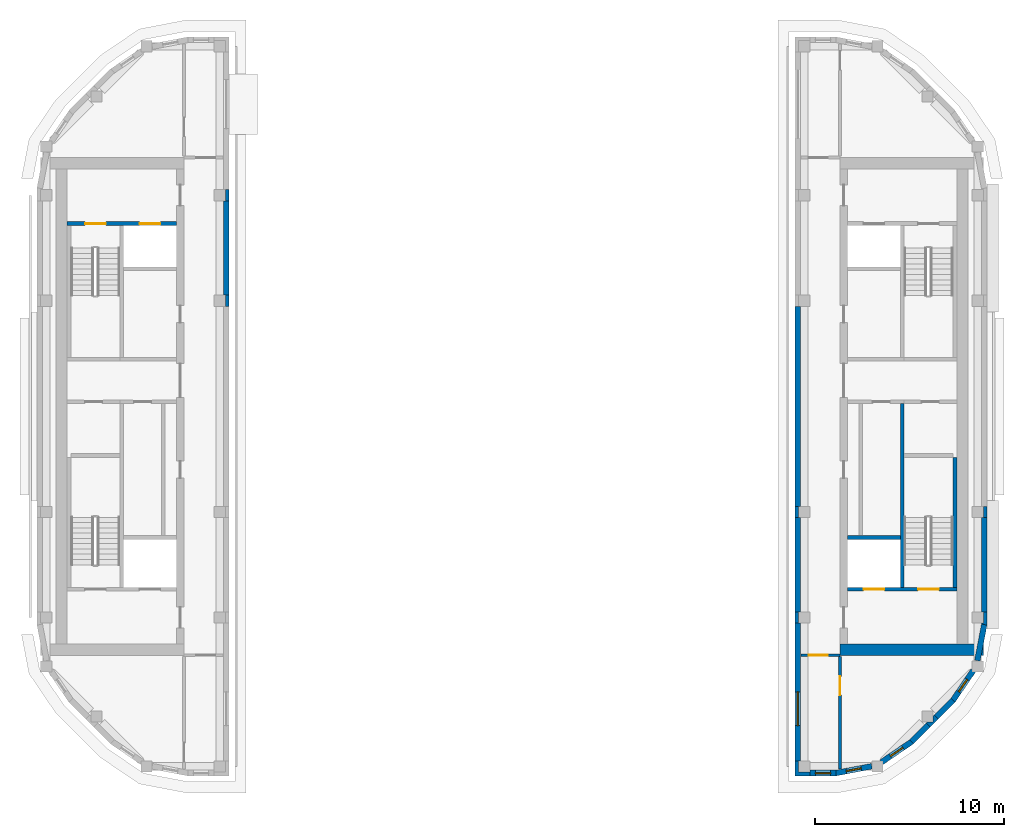
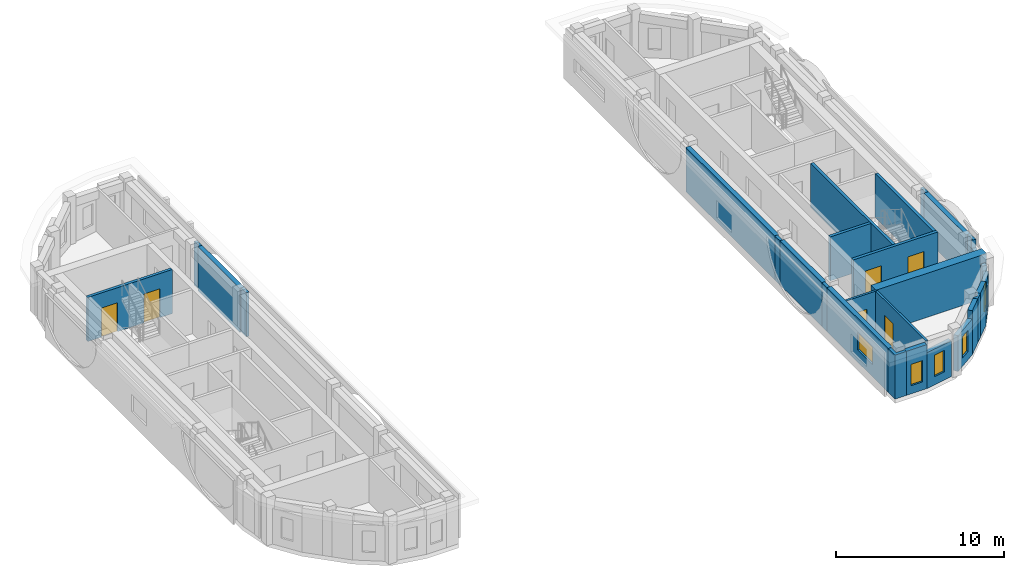
# One storey, part 3 of 12: 28 walls, 6 doors, 5 windows, 11 openings.
"""IFC4 building model written with IfcOpenShell, lengths in metres."""

from ifc_helpers import new_model, si_unit, direction, frame, frame_2d, origin, place, context, subcontext, project, spatial, polyline, rectangle, outline, extrude, material, layer, layer_set, type_object, element, fill, save


model = new_model("IFC4")

# Units and contexts
model_context = context("Model", 3, precision=1e-05, world=origin(), true_north=direction((0.0, 1.0)))
body_context = subcontext(model_context, "Body", "Model", "MODEL_VIEW")
ifc_project = project(units=[si_unit("LENGTHUNIT", "METRE"), si_unit("AREAUNIT", "SQUARE_METRE"), si_unit("VOLUMEUNIT", "CUBIC_METRE"), si_unit("PLANEANGLEUNIT", "RADIAN"), si_unit("MASSUNIT", "GRAM", prefix="KILO")], contexts=[model_context])

# Site, building, storey
site_placement = place(None, origin())
site = spatial("IfcSite", under=ifc_project, at=site_placement, CompositionType="ELEMENT")
building_placement = place(site_placement, origin())
building = spatial("IfcBuilding", under=site, at=building_placement, Name="Kiln Ring Residences", CompositionType="ELEMENT")
storey_placement = place(building_placement, frame((0.0, 0.0, 306.89990234375)))
storey = spatial("IfcBuildingStorey", under=building, at=storey_placement, Name="L79 Crown", CompositionType="ELEMENT", Elevation=306.89990234375)

# Wall
ifc_material_1 = material(Name="Gypsum shaft wall system")
ifc_layer_1 = layer(ifc_material_1, 0.199951171875)
ifc_layer_set_1 = layer_set([ifc_layer_1], Name="CORE-SHAFT-WALL-200")
wall_type_1 = type_object("IfcWallType", Name="CORE-SHAFT-WALL-200", PredefinedType="PARTITIONING", material=ifc_layer_set_1)
wall_1_placement = place(storey_placement, frame((17.800048828125, -6.949951171875, 0.0), z_axis=(0.0, 0.0, 1.0), x_axis=(1.0, 0.0, 0.0)))
element("IfcWall", 1, at=wall_1_placement, inside=storey, type_object=wall_type_1, Name="Core partition east L79 Crown 3", PredefinedType="PARTITIONING", context=body_context, shape_type="SweptSolid", body=[
    extrude(rectangle(XDim=2.800048828125, YDim=0.199951171875, at=frame_2d((1.39990234375, 0.0))), origin(), (0.0, 0.0, 1.0), 3.2001953125),
])

# Wall, openings, doors
ifc_material_2 = material(Name="Concrete C40/50", Category="concrete")
ifc_layer_2 = layer(ifc_material_2, 0.199951171875)
ifc_layer_set_2 = layer_set([ifc_layer_2], Name="CORE-WALL-RC200")
wall_type_2 = type_object("IfcWallType", Name="CORE-WALL-RC200", PredefinedType="SHEAR", material=ifc_layer_set_2)
wall_2_placement = place(storey_placement, frame((-17.800048828125, 9.699951171875, 0.0), z_axis=(0.0, 0.0, 1.0), x_axis=(-1.0, 0.0, 0.0)))
wall_2 = element("IfcWall", 2, at=wall_2_placement, inside=storey, type_object=wall_type_2, Name="Core wall west L79 Crown 9", PredefinedType="SHEAR", context=body_context, shape_type="SweptSolid", body=[
    extrude(rectangle(XDim=5.800048828125, YDim=0.199951171875, at=frame_2d((2.89990234375, 0.0))), origin(), (0.0, 0.0, 1.0), 3.2001953125),
])
opening_1_placement = place(wall_2_placement, frame((0.85009765625, 0.0, 0.0)))
opening_1 = element("IfcOpeningElement", 3, at=opening_1_placement, cuts=wall_2, Name="Opening L79-CW05", PredefinedType="OPENING", context=body_context, shape_type="SweptSolid", body=[
    extrude(rectangle(XDim=1.10009765625, YDim=2.10009765625, at=frame_2d((0.550048828125, 1.050048828125))), frame((0.0, 0.10986328125, 0.0), z_axis=(0.0, -1.0, 0.0), x_axis=(1.0, 0.0, 0.0)), (0.0, 0.0, 1.0), 0.219970703125),
])
opening_2_placement = place(wall_2_placement, frame((3.75, 0.0, 0.0)))
opening_2 = element("IfcOpeningElement", 4, at=opening_2_placement, cuts=wall_2, Name="Opening L79-CW08", PredefinedType="OPENING", context=body_context, shape_type="SweptSolid", body=[
    extrude(rectangle(XDim=1.10009765625, YDim=2.10009765625, at=frame_2d((0.550048828125, 1.050048828125))), frame((0.0, 0.10986328125, 0.0), z_axis=(0.0, -1.0, 0.0), x_axis=(1.0, 0.0, 0.0)), (0.0, 0.0, 1.0), 0.219970703125),
])
ifc_material_3 = material(Name="Steel door leaf", Category="steel")
door_type_1 = type_object("IfcDoorType", Name="CORE-DOOR-LD", OperationType="DOUBLE_DOOR_SLIDING", PredefinedType="DOOR", material=ifc_material_3)
door_1_placement = place(opening_1_placement, origin())
door_1 = element("IfcDoor", 5, at=door_1_placement, inside=storey, type_object=door_type_1, Name="LD W-FF L79-CW05", OperationType="DOUBLE_DOOR_SLIDING", OverallHeight=2.10009765625, OverallWidth=1.10009765625, PredefinedType="DOOR", context=body_context, shape_type="SweptSolid", body=[
    extrude(rectangle(XDim=1.10009765625, YDim=2.10009765625, at=frame_2d((0.550048828125, 1.050048828125))), frame((0.0, 0.02490234375, 0.0), z_axis=(0.0, -1.0, 0.0), x_axis=(1.0, 0.0, 0.0)), (0.0, 0.0, 1.0), 0.050048828125),
])
fill(opening_1, door_1)
ifc_material_4 = material(Name="Steel door leaf", Category="steel")
door_type_2 = type_object("IfcDoorType", Name="CORE-DOOR-STAIR", OperationType="SINGLE_SWING_LEFT", PredefinedType="DOOR", material=ifc_material_4)
door_2_placement = place(opening_2_placement, origin())
door_2 = element("IfcDoor", 6, at=door_2_placement, inside=storey, type_object=door_type_2, Name="Stair W-STN L79-CW08", OperationType="SINGLE_SWING_RIGHT", OverallHeight=2.10009765625, OverallWidth=1.10009765625, PredefinedType="DOOR", context=body_context, shape_type="SweptSolid", body=[
    extrude(rectangle(XDim=1.10009765625, YDim=2.10009765625, at=frame_2d((0.550048828125, 1.050048828125))), frame((0.0, 0.02490234375, 0.0), z_axis=(0.0, -1.0, 0.0), x_axis=(1.0, 0.0, 0.0)), (0.0, 0.0, 1.0), 0.050048828125),
])
fill(opening_2, door_2)

# Wall
wall_3_placement = place(storey_placement, frame((20.699951171875, -9.60009765625, 0.0), z_axis=(0.0, 0.0, 1.0), x_axis=(0.0, 1.0, 0.0)))
element("IfcWall", 7, at=wall_3_placement, inside=storey, type_object=wall_type_2, Name="Core wall east L79 Crown 2", PredefinedType="SHEAR", context=body_context, shape_type="SweptSolid", body=[
    extrude(rectangle(XDim=9.75, YDim=0.199951171875, at=frame_2d((4.875, 0.0))), origin(), (0.0, 0.0, 1.0), 3.2001953125),
])

# Wall, openings, doors
wall_4_placement = place(storey_placement, frame((17.800048828125, -9.699951171875, 0.0), z_axis=(0.0, 0.0, 1.0), x_axis=(1.0, 0.0, 0.0)))
wall_4 = element("IfcWall", 8, at=wall_4_placement, inside=storey, type_object=wall_type_2, Name="Core wall east L79 Crown 8", PredefinedType="SHEAR", context=body_context, shape_type="SweptSolid", body=[
    extrude(rectangle(XDim=5.800048828125, YDim=0.199951171875, at=frame_2d((2.89990234375, 0.0))), origin(), (0.0, 0.0, 1.0), 3.2001953125),
])
opening_3_placement = place(wall_4_placement, frame((0.85009765625, 0.0, 0.0)))
opening_3 = element("IfcOpeningElement", 9, at=opening_3_placement, cuts=wall_4, Name="Opening L79-CE01", PredefinedType="OPENING", context=body_context, shape_type="SweptSolid", body=[
    extrude(rectangle(XDim=1.10009765625, YDim=2.10009765625, at=frame_2d((0.550048828125, 1.050048828125))), frame((0.0, 0.10986328125, 0.0), z_axis=(0.0, -1.0, 0.0), x_axis=(1.0, 0.0, 0.0)), (0.0, 0.0, 1.0), 0.219970703125),
])
opening_4_placement = place(wall_4_placement, frame((3.75, 0.0, 0.0)))
opening_4 = element("IfcOpeningElement", 10, at=opening_4_placement, cuts=wall_4, Name="Opening L79-CE09", PredefinedType="OPENING", context=body_context, shape_type="SweptSolid", body=[
    extrude(rectangle(XDim=1.10009765625, YDim=2.10009765625, at=frame_2d((0.550048828125, 1.050048828125))), frame((0.0, 0.10986328125, 0.0), z_axis=(0.0, -1.0, 0.0), x_axis=(1.0, 0.0, 0.0)), (0.0, 0.0, 1.0), 0.219970703125),
])
door_3_placement = place(opening_3_placement, origin())
door_3 = element("IfcDoor", 11, at=door_3_placement, inside=storey, type_object=door_type_1, Name="LD E-SV L79-CE01", OperationType="DOUBLE_DOOR_SLIDING", OverallHeight=2.10009765625, OverallWidth=1.10009765625, PredefinedType="DOOR", context=body_context, shape_type="SweptSolid", body=[
    extrude(rectangle(XDim=1.10009765625, YDim=2.10009765625, at=frame_2d((0.550048828125, 1.050048828125))), frame((0.0, 0.02490234375, 0.0), z_axis=(0.0, -1.0, 0.0), x_axis=(1.0, 0.0, 0.0)), (0.0, 0.0, 1.0), 0.050048828125),
])
fill(opening_3, door_3)
door_4_placement = place(opening_4_placement, origin())
door_4 = element("IfcDoor", 12, at=door_4_placement, inside=storey, type_object=door_type_2, Name="Stair E-STS L79-CE09", OperationType="SINGLE_SWING_LEFT", OverallHeight=2.10009765625, OverallWidth=1.10009765625, PredefinedType="DOOR", context=body_context, shape_type="SweptSolid", body=[
    extrude(rectangle(XDim=1.10009765625, YDim=2.10009765625, at=frame_2d((0.550048828125, 1.050048828125))), frame((0.0, 0.02490234375, 0.0), z_axis=(0.0, -1.0, 0.0), x_axis=(1.0, 0.0, 0.0)), (0.0, 0.0, 1.0), 0.050048828125),
])
fill(opening_4, door_4)

# Walls
wall_5_placement = place(storey_placement, frame((23.5, -9.60009765625, 0.0), z_axis=(0.0, 0.0, 1.0), x_axis=(0.0, 1.0, 0.0)))
element("IfcWall", 13, at=wall_5_placement, inside=storey, type_object=wall_type_2, Name="Core wall east L79 Crown 11", PredefinedType="SHEAR", context=body_context, shape_type="SweptSolid", body=[
    extrude(rectangle(XDim=6.900146484375, YDim=0.199951171875, at=frame_2d((3.4501953125, 0.0))), origin(), (0.0, 0.0, 1.0), 3.2001953125),
])
ifc_material_5 = material(Name="Concrete C60/75", Category="concrete")
ifc_layer_3 = layer(ifc_material_5, 0.60009765625)
ifc_layer_set_3 = layer_set([ifc_layer_3], Name="CORE-WALL-RC600")
wall_type_3 = type_object("IfcWallType", Name="CORE-WALL-RC600", PredefinedType="SHEAR", material=ifc_layer_set_3)
wall_6_placement = place(storey_placement, frame((17.39990234375, -12.89990234375, 0.0), z_axis=(0.0, 0.0, 1.0), x_axis=(1.0, 0.0, 0.0)))
element("IfcWall", 14, at=wall_6_placement, inside=storey, type_object=wall_type_3, Name="Core wall east L79 Crown 5", PredefinedType="SHEAR", context=body_context, shape_type="SweptSolid", body=[
    extrude(rectangle(XDim=7.60009765625, YDim=0.60009765625, at=frame_2d((3.800048828125, 0.0))), origin(), (0.0, 0.0, 1.0), 3.2001953125),
])
ifc_material_6 = material(Name="Brick masonry, dark clay brick", Category="masonry")
ifc_layer_4 = layer(ifc_material_6, 0.300048828125)
ifc_layer_set_4 = layer_set([ifc_layer_4], Name="EW-300 BRICK WALL")
wall_type_4 = type_object("IfcWallType", Name="EW-300 BRICK WALL", PredefinedType="SOLIDWALL", material=ifc_layer_set_4)
wall_7_placement = place(storey_placement, frame((-15.14990234375, 5.89990234375, 0.0), z_axis=(0.0, 0.0, 1.0), x_axis=(0.0, 1.0, 0.0)))
element("IfcWall", 15, at=wall_7_placement, inside=storey, type_object=wall_type_4, Name="Facade wall L79 Crown 7", PredefinedType="SOLIDWALL", context=body_context, shape_type="SweptSolid", body=[
    extrude(rectangle(XDim=5.0, YDim=0.300048828125, at=frame_2d((2.5, 0.0))), origin(), (0.0, 0.0, 1.0), 3.2001953125),
])
wall_8_placement = place(storey_placement, frame((15.14990234375, 5.300048828125, 0.0), z_axis=(0.0, 0.0, 1.0), x_axis=(0.0, -1.0, 0.0)))
element("IfcWall", 16, at=wall_8_placement, inside=storey, type_object=wall_type_4, Name="Facade wall L79 Crown 25", PredefinedType="SOLIDWALL", context=body_context, shape_type="SweptSolid", body=[
    extrude(rectangle(XDim=10.60009765625, YDim=0.300048828125, at=frame_2d((5.300048828125, 0.0))), origin(), (0.0, 0.0, 1.0), 3.2001953125),
])
wall_9_placement = place(storey_placement, frame((15.14990234375, -5.89990234375, 0.0), z_axis=(0.0, 0.0, 1.0), x_axis=(0.0, -1.0, 0.0)))
element("IfcWall", 17, at=wall_9_placement, inside=storey, type_object=wall_type_4, Name="Facade wall L79 Crown 26", PredefinedType="SOLIDWALL", context=body_context, shape_type="SweptSolid", body=[
    extrude(rectangle(XDim=5.0, YDim=0.300048828125, at=frame_2d((2.5, 0.0))), origin(), (0.0, 0.0, 1.0), 3.2001953125),
])

# Wall, opening, window
wall_10_placement = place(storey_placement, frame((15.14990234375, -11.5, 0.0), z_axis=(0.0, 0.0, 1.0), x_axis=(0.0, -1.0, 0.0)))
wall_10 = element("IfcWall", 18, at=wall_10_placement, inside=storey, type_object=wall_type_4, Name="Facade wall L79 Crown 27", PredefinedType="SOLIDWALL", context=body_context, shape_type="SweptSolid", body=[
    extrude(rectangle(XDim=7.300048828125, YDim=0.300048828125, at=frame_2d((3.64990234375, 0.0))), origin(), (0.0, 0.0, 1.0), 3.2001953125),
])
opening_5_placement = place(wall_10_placement, frame((3.637451171875, 0.0, 0.89990234375)))
opening_5 = element("IfcOpeningElement", 19, at=opening_5_placement, cuts=wall_10, Name="Opening W2", PredefinedType="OPENING", context=body_context, shape_type="SweptSolid", body=[
    extrude(rectangle(XDim=1.800048828125, YDim=1.25, at=frame_2d((0.89990234375, 0.625))), frame((0.0, 0.159912109375, 0.0), z_axis=(0.0, -1.0, 0.0), x_axis=(1.0, 0.0, 0.0)), (0.0, 0.0, 1.0), 0.320068359375),
])
ifc_material_7 = material(Name="Aluminium frame with double glazing", Category="aluminium")
window_type_1 = type_object("IfcWindowType", Name="WINDOW 1800 x 1250", PartitioningType="SINGLE_PANEL", PredefinedType="WINDOW", material=ifc_material_7)
window_1_placement = place(opening_5_placement, origin())
window_1 = element("IfcWindow", 20, at=window_1_placement, inside=storey, type_object=window_type_1, Name="Window L79 Crown 12", OverallHeight=1.25, OverallWidth=1.800048828125, PartitioningType="SINGLE_PANEL", PredefinedType="WINDOW", context=body_context, shape_type="SweptSolid", body=[
    extrude(rectangle(XDim=1.800048828125, YDim=1.25, at=frame_2d((0.89990234375, 0.625))), frame((0.0, 0.030029296875, 0.0), z_axis=(0.0, -1.0, 0.0), x_axis=(1.0, 0.0, 0.0)), (0.0, 0.0, 1.0), 0.06005859375),
])
fill(opening_5, window_1)

wall_11_placement = place(storey_placement, frame((15.800048828125, -19.449951171875, 0.0), z_axis=(0.0, 0.0, 1.0), x_axis=(1.0, 0.0, 0.0)))
wall_11 = element("IfcWall", 21, at=wall_11_placement, inside=storey, type_object=wall_type_4, Name="Facade wall L79 Crown 28", PredefinedType="SOLIDWALL", context=body_context, shape_type="SweptSolid", body=[
    extrude(rectangle(XDim=1.39990234375, YDim=0.300048828125, at=frame_2d((0.699951171875, 0.0))), origin(), (0.0, 0.0, 1.0), 3.2001953125),
])
opening_6_placement = place(wall_11_placement, frame((0.300048828125, 0.0, 0.60009765625)))
opening_6 = element("IfcOpeningElement", 22, at=opening_6_placement, cuts=wall_11, Name="Opening W5", PredefinedType="OPENING", context=body_context, shape_type="SweptSolid", body=[
    extrude(rectangle(XDim=0.800048828125, YDim=1.550048828125, at=frame_2d((0.39990234375, 0.77490234375))), frame((0.0, 0.159912109375, 0.0), z_axis=(0.0, -1.0, 0.0), x_axis=(1.0, 0.0, 0.0)), (0.0, 0.0, 1.0), 0.320068359375),
])
ifc_material_8 = material(Name="Aluminium frame with double glazing", Category="aluminium")
window_type_2 = type_object("IfcWindowType", Name="WINDOW 800 x 1550", PartitioningType="SINGLE_PANEL", PredefinedType="WINDOW", material=ifc_material_8)
window_2_placement = place(opening_6_placement, origin())
window_2 = element("IfcWindow", 23, at=window_2_placement, inside=storey, type_object=window_type_2, Name="Window L79 Crown 13", OverallHeight=1.550048828125, OverallWidth=0.800048828125, PartitioningType="SINGLE_PANEL", PredefinedType="WINDOW", context=body_context, shape_type="SweptSolid", body=[
    extrude(rectangle(XDim=0.800048828125, YDim=1.550048828125, at=frame_2d((0.39990234375, 0.77490234375))), frame((0.0, 0.030029296875, 0.0), z_axis=(0.0, -1.0, 0.0), x_axis=(1.0, 0.0, 0.0)), (0.0, 0.0, 1.0), 0.06005859375),
])
fill(opening_6, window_2)

wall_12_placement = place(storey_placement, frame((17.171875, -19.45263671875, 0.0), z_axis=(0.0, 0.0, 1.0), x_axis=(0.982286967073, 0.187382801553, 0.0)))
wall_12 = element("IfcWall", 24, at=wall_12_placement, inside=storey, type_object=wall_type_4, Name="Facade wall L79 Crown 29", PredefinedType="SOLIDWALL", context=body_context, shape_type="SweptSolid", body=[
    extrude(rectangle(XDim=1.94775390625, YDim=0.300048828125, at=frame_2d((0.973876953125, 0.0))), origin(), (0.0, 0.0, 1.0), 2.60009765625),
])
opening_7_placement = place(wall_12_placement, frame((0.573974609375, 0.0, 0.60009765625)))
opening_7 = element("IfcOpeningElement", 25, at=opening_7_placement, cuts=wall_12, Name="Opening W5", PredefinedType="OPENING", context=body_context, shape_type="SweptSolid", body=[
    extrude(rectangle(XDim=0.800048828125, YDim=1.550048828125, at=frame_2d((0.39990234375, 0.77490234375))), frame((0.0, 0.159912109375, 0.0), z_axis=(0.0, -1.0, 0.0), x_axis=(1.0, 0.0, 0.0)), (0.0, 0.0, 1.0), 0.320068359375),
])
window_3_placement = place(opening_7_placement, origin())
window_3 = element("IfcWindow", 26, at=window_3_placement, inside=storey, type_object=window_type_2, Name="Window L79 Crown 14", OverallHeight=1.550048828125, OverallWidth=0.800048828125, PartitioningType="SINGLE_PANEL", PredefinedType="WINDOW", context=body_context, shape_type="SweptSolid", body=[
    extrude(rectangle(XDim=0.800048828125, YDim=1.550048828125, at=frame_2d((0.39990234375, 0.77490234375))), frame((0.0, 0.030029296875, 0.0), z_axis=(0.0, -1.0, 0.0), x_axis=(1.0, 0.0, 0.0)), (0.0, 0.0, 1.0), 0.06005859375),
])
fill(opening_7, window_3)

wall_13_placement = place(storey_placement, frame((19.601806640625, -18.873779296875, 0.0), z_axis=(0.0, 0.0, 1.0), x_axis=(0.827022075481, 0.562169446579, 0.0)))
wall_13 = element("IfcWall", 27, at=wall_13_placement, inside=storey, type_object=wall_type_4, Name="Facade wall L79 Crown 30", PredefinedType="SOLIDWALL", context=body_context, shape_type="SweptSolid", body=[
    extrude(rectangle(XDim=1.94775390625, YDim=0.300048828125, at=frame_2d((0.973876953125, 0.0))), origin(), (0.0, 0.0, 1.0), 2.60009765625),
])
opening_8_placement = place(wall_13_placement, frame((0.573974609375, 0.0, 0.60009765625)))
opening_8 = element("IfcOpeningElement", 28, at=opening_8_placement, cuts=wall_13, Name="Opening W5", PredefinedType="OPENING", context=body_context, shape_type="SweptSolid", body=[
    extrude(rectangle(XDim=0.800048828125, YDim=1.550048828125, at=frame_2d((0.39990234375, 0.77490234375))), frame((0.0, 0.159912109375, 0.0), z_axis=(0.0, -1.0, 0.0), x_axis=(1.0, 0.0, 0.0)), (0.0, 0.0, 1.0), 0.320068359375),
])
window_4_placement = place(opening_8_placement, origin())
window_4 = element("IfcWindow", 29, at=window_4_placement, inside=storey, type_object=window_type_2, Name="Window L79 Crown 15", OverallHeight=1.550048828125, OverallWidth=0.800048828125, PartitioningType="SINGLE_PANEL", PredefinedType="WINDOW", context=body_context, shape_type="SweptSolid", body=[
    extrude(rectangle(XDim=0.800048828125, YDim=1.550048828125, at=frame_2d((0.39990234375, 0.77490234375))), frame((0.0, 0.030029296875, 0.0), z_axis=(0.0, -1.0, 0.0), x_axis=(1.0, 0.0, 0.0)), (0.0, 0.0, 1.0), 0.06005859375),
])
fill(opening_8, window_4)

# Walls
for number, where, z_axis, x_axis, name in (
    (30, (21.19091796875, -17.796875, 0.0), (0.0, 0.0, 1.0), (0.707106781187, 0.707106781187, 0.0), "Facade wall L79 Crown 31"),
    (31, (22.506103515625, -16.481689453125, 0.0), (0.0, 0.0, 1.0), (0.707203678312, 0.707009870781, 0.0), "Facade wall L79 Crown 32"),
):
    element("IfcWall", number, at=place(storey_placement, frame(where, z_axis=z_axis, x_axis=x_axis)), inside=storey, type_object=wall_type_4, Name=name, PredefinedType="SOLIDWALL", context=body_context, shape_type="SweptSolid", body=[
        extrude(rectangle(XDim=1.259765625, YDim=0.300048828125, at=frame_2d((0.6298828125, 0.0))), origin(), (0.0, 0.0, 1.0), 3.2001953125),
    ])

# Wall, opening, window
wall_14_placement = place(storey_placement, frame((23.37890625, -15.61279296875, 0.0), z_axis=(0.0, 0.0, 1.0), x_axis=(0.562025435703, 0.827119948752, 0.0)))
wall_14 = element("IfcWall", 32, at=wall_14_placement, inside=storey, type_object=wall_type_4, Name="Facade wall L79 Crown 33", PredefinedType="SOLIDWALL", context=body_context, shape_type="SweptSolid", body=[
    extrude(rectangle(XDim=1.94775390625, YDim=0.300048828125, at=frame_2d((0.973876953125, 0.0))), origin(), (0.0, 0.0, 1.0), 2.60009765625),
])
opening_9_placement = place(wall_14_placement, frame((0.573974609375, 0.0, 0.60009765625)))
opening_9 = element("IfcOpeningElement", 33, at=opening_9_placement, cuts=wall_14, Name="Opening W5", PredefinedType="OPENING", context=body_context, shape_type="SweptSolid", body=[
    extrude(rectangle(XDim=0.800048828125, YDim=1.550048828125, at=frame_2d((0.39990234375, 0.77490234375))), frame((0.0, 0.159912109375, 0.0), z_axis=(0.0, -1.0, 0.0), x_axis=(1.0, 0.0, 0.0)), (0.0, 0.0, 1.0), 0.320068359375),
])
window_5_placement = place(opening_9_placement, origin())
window_5 = element("IfcWindow", 34, at=window_5_placement, inside=storey, type_object=window_type_2, Name="Window L79 Crown 16", OverallHeight=1.550048828125, OverallWidth=0.800048828125, PartitioningType="SINGLE_PANEL", PredefinedType="WINDOW", context=body_context, shape_type="SweptSolid", body=[
    extrude(rectangle(XDim=0.800048828125, YDim=1.550048828125, at=frame_2d((0.39990234375, 0.77490234375))), frame((0.0, 0.030029296875, 0.0), z_axis=(0.0, -1.0, 0.0), x_axis=(1.0, 0.0, 0.0)), (0.0, 0.0, 1.0), 0.06005859375),
])
fill(opening_9, window_5)

# Walls
wall_15_placement = place(storey_placement, frame((24.687744140625, -13.485107421875, 0.0), z_axis=(0.0, 0.0, 1.0), x_axis=(0.187354129902, 0.982292436095, 0.0)))
element("IfcWall", 35, at=wall_15_placement, inside=storey, type_object=wall_type_4, Name="Facade wall L79 Crown 34", PredefinedType="SOLIDWALL", context=body_context, shape_type="SweptSolid", body=[
    extrude(rectangle(XDim=1.94677734375, YDim=0.300048828125, at=frame_2d((0.973388671875, 0.0))), origin(), (0.0, 0.0, 1.0), 2.60009765625),
])
wall_16_placement = place(storey_placement, frame((25.050048828125, -10.89990234375, 0.0), z_axis=(0.0, 0.0, 1.0), x_axis=(0.0, 1.0, 0.0)))
element("IfcWall", 36, at=wall_16_placement, inside=storey, type_object=wall_type_4, Name="Facade wall L79 Crown 35", PredefinedType="SOLIDWALL", context=body_context, shape_type="SweptSolid", body=[
    extrude(rectangle(XDim=5.0, YDim=0.300048828125, at=frame_2d((2.5, 0.0))), origin(), (0.0, 0.0, 1.0), 3.2001953125),
])
placement = place(storey_placement, origin())
element("IfcWall", 37, at=placement, inside=storey, type_object=wall_type_4, Name="Corner wall L79 Crown 7", PredefinedType="SOLIDWALL", context=body_context, shape_type="SweptSolid", body=[
    extrude(outline(polyline([(-15.199951171875, 10.89990234375), (-15.0, 10.89990234375), (-15.0, 11.5), (-15.199951171875, 11.5), (-15.199951171875, 10.89990234375)])), origin(), (0.0, 0.0, 1.0), 3.2001953125),
])
element("IfcWall", 38, at=placement, inside=storey, type_object=wall_type_4, Name="Corner wall L79 Crown 8", PredefinedType="SOLIDWALL", context=body_context, shape_type="SweptSolid", body=[
    extrude(outline(polyline([(-15.199951171875, 5.300048828125), (-15.0, 5.300048828125), (-15.0, 5.89990234375), (-15.300048828125, 5.89990234375), (-15.199951171875, 5.89990234375), (-15.199951171875, 5.300048828125)])), origin(), (0.0, 0.0, 1.0), 3.2001953125),
])
element("IfcWall", 39, at=placement, inside=storey, type_object=wall_type_4, Name="Corner wall L79 Crown 16", PredefinedType="SOLIDWALL", context=body_context, shape_type="SweptSolid", body=[
    extrude(outline(polyline([(25.0, -5.89990234375), (25.199951171875, -5.89990234375), (25.199951171875, -5.300048828125), (25.0, -5.300048828125), (25.0, -5.89990234375)])), origin(), (0.0, 0.0, 1.0), 3.2001953125),
])
element("IfcWall", 40, at=placement, inside=storey, type_object=wall_type_4, Name="Corner wall L79 Crown 17", PredefinedType="SOLIDWALL", context=body_context, shape_type="SweptSolid", body=[
    extrude(outline(polyline([(25.199951171875, -11.600830078125), (25.199951171875, -10.89990234375), (25.0, -10.89990234375), (25.0, -11.5), (24.89990234375, -11.5), (24.89990234375, -11.56103515625), (24.9033203125, -11.544189453125), (25.199951171875, -11.600830078125)])), origin(), (0.0, 0.0, 1.0), 3.2001953125),
])
element("IfcWall", 41, at=placement, inside=storey, type_object=wall_type_4, Name="Corner wall L79 Crown 18", PredefinedType="SOLIDWALL", context=body_context, shape_type="SweptSolid", body=[
    extrude(outline(polyline([(21.9755859375, -16.800048828125), (22.18798828125, -17.01220703125), (22.612060546875, -16.587890625), (22.39990234375, -16.375732421875), (22.346435546875, -16.42919921875), (22.346435546875, -16.746337890625), (22.029296875, -16.746337890625), (21.9755859375, -16.800048828125)])), origin(), (0.0, 0.0, 1.0), 3.2001953125),
])
element("IfcWall", 42, at=placement, inside=storey, type_object=wall_type_4, Name="Corner wall L79 Crown 19", PredefinedType="SOLIDWALL", context=body_context, shape_type="SweptSolid", body=[
    extrude(outline(polyline([(15.0, -18.800048828125), (15.0, -19.60009765625), (15.800048828125, -19.60009765625), (15.800048828125, -19.39990234375), (15.199951171875, -19.39990234375), (15.199951171875, -18.800048828125), (15.0, -18.800048828125)])), origin(), (0.0, 0.0, 1.0), 3.2001953125),
])
element("IfcWall", 43, at=placement, inside=storey, type_object=wall_type_4, Name="Corner wall L79 Crown 20", PredefinedType="SOLIDWALL", context=body_context, shape_type="SweptSolid", body=[
    extrude(outline(polyline([(15.199951171875, -10.89990234375), (15.0, -10.89990234375), (15.0, -11.5), (15.199951171875, -11.5), (15.199951171875, -10.89990234375)])), origin(), (0.0, 0.0, 1.0), 3.2001953125),
])
element("IfcWall", 44, at=placement, inside=storey, type_object=wall_type_4, Name="Corner wall L79 Crown 21", PredefinedType="SOLIDWALL", context=body_context, shape_type="SweptSolid", body=[
    extrude(outline(polyline([(15.199951171875, -5.300048828125), (15.0, -5.300048828125), (15.0, -5.89990234375), (15.300048828125, -5.89990234375), (15.199951171875, -5.89990234375), (15.199951171875, -5.300048828125)])), origin(), (0.0, 0.0, 1.0), 3.2001953125),
])

# Wall, opening, door
ifc_material_9 = material(Name="Brick masonry partition", Category="masonry")
ifc_layer_5 = layer(ifc_material_9, 0.14990234375)
ifc_layer_set_5 = layer_set([ifc_layer_5], Name="PARTITION-150-ei60")
wall_type_5 = type_object("IfcWallType", Name="PARTITION-150-ei60", PredefinedType="PARTITIONING", material=ifc_layer_set_5)
wall_25_placement = place(storey_placement, frame((15.320068359375, -13.199951171875, 0.0), z_axis=(0.0, 0.0, 1.0), x_axis=(1.0, 0.0, 0.0)))
wall_25 = element("IfcWall", 45, at=wall_25_placement, inside=storey, type_object=wall_type_5, Name="Partition 001", PredefinedType="PARTITIONING", context=body_context, shape_type="SweptSolid", body=[
    extrude(rectangle(XDim=2.0849609375, YDim=0.14990234375, at=frame_2d((1.04248046875, 0.0))), origin(), (0.0, 0.0, 1.0), 3.2001953125),
])
opening_10_placement = place(wall_25_placement, frame((0.419921875, 0.0, 0.0)))
opening_10 = element("IfcOpeningElement", 46, at=opening_10_placement, cuts=wall_25, Name="Opening L79-D007", PredefinedType="OPENING", context=body_context, shape_type="SweptSolid", body=[
    extrude(rectangle(XDim=1.0, YDim=2.10009765625, at=frame_2d((0.5, 1.050048828125))), frame((0.0, 0.0849609375, 0.0), z_axis=(0.0, -1.0, 0.0), x_axis=(1.0, 0.0, 0.0)), (0.0, 0.0, 1.0), 0.169921875),
])
ifc_material_10 = material(Name="Steel faced fire door leaf", Category="steel")
door_type_3 = type_object("IfcDoorType", Name="FLAT-DOOR-1000-FR", OperationType="SINGLE_SWING_LEFT", PredefinedType="DOOR", material=ifc_material_10)
door_5_placement = place(opening_10_placement, origin())
door_5 = element("IfcDoor", 47, at=door_5_placement, inside=storey, type_object=door_type_3, Name="Door L79-D007", OperationType="SINGLE_SWING_RIGHT", OverallHeight=2.10009765625, OverallWidth=1.0, PredefinedType="DOOR", context=body_context, shape_type="SweptSolid", body=[
    extrude(rectangle(XDim=1.0, YDim=2.10009765625, at=frame_2d((0.5, 1.050048828125))), frame((0.0, 0.02490234375, 0.0), z_axis=(0.0, -1.0, 0.0), x_axis=(1.0, 0.0, 0.0)), (0.0, 0.0, 1.0), 0.050048828125),
])
fill(opening_10, door_5)

wall_26_placement = place(storey_placement, frame((17.39990234375, -19.236328125, 0.0), z_axis=(0.0, 0.0, 1.0), x_axis=(0.0, 1.0, 0.0)))
wall_26 = element("IfcWall", 48, at=wall_26_placement, inside=storey, type_object=wall_type_5, Name="Partition 006", PredefinedType="PARTITIONING", context=body_context, shape_type="SweptSolid", body=[
    extrude(rectangle(XDim=5.96142578125, YDim=0.14990234375, at=frame_2d((2.980712890625, 0.0))), origin(), (0.0, 0.0, 1.0), 3.2001953125),
])
opening_11_placement = place(wall_26_placement, frame((3.91650390625, 0.0, 0.0)))
opening_11 = element("IfcOpeningElement", 49, at=opening_11_placement, cuts=wall_26, Name="Opening L79-D008", PredefinedType="OPENING", context=body_context, shape_type="SweptSolid", body=[
    extrude(rectangle(XDim=1.0, YDim=2.10009765625, at=frame_2d((0.5, 1.050048828125))), frame((0.0, 0.0849609375, 0.0), z_axis=(0.0, -1.0, 0.0), x_axis=(1.0, 0.0, 0.0)), (0.0, 0.0, 1.0), 0.169921875),
])
door_6_placement = place(opening_11_placement, origin())
door_6 = element("IfcDoor", 50, at=door_6_placement, inside=storey, type_object=door_type_3, Name="Door L79-D008", OperationType="SINGLE_SWING_RIGHT", OverallHeight=2.10009765625, OverallWidth=1.0, PredefinedType="DOOR", context=body_context, shape_type="SweptSolid", body=[
    extrude(rectangle(XDim=1.0, YDim=2.10009765625, at=frame_2d((0.5, 1.050048828125))), frame((0.0, 0.02490234375, 0.0), z_axis=(0.0, -1.0, 0.0), x_axis=(1.0, 0.0, 0.0)), (0.0, 0.0, 1.0), 0.050048828125),
])
fill(opening_11, door_6)

save(model, "model.ifc")
